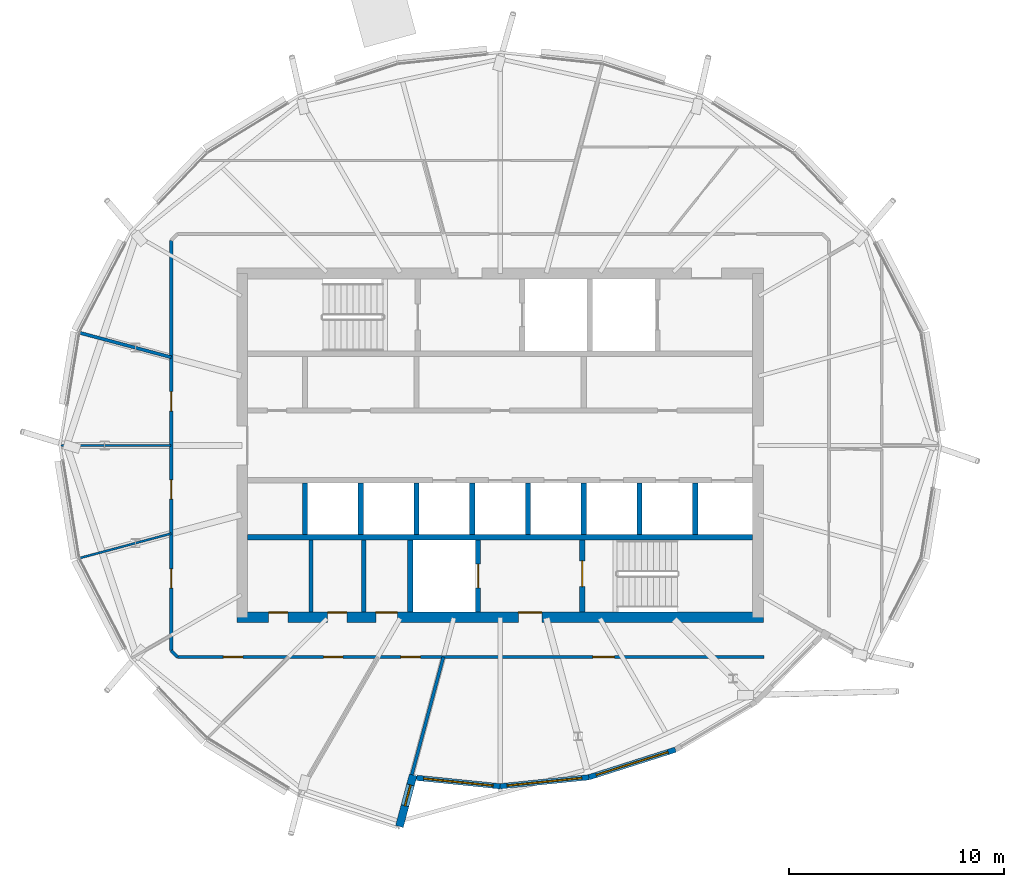
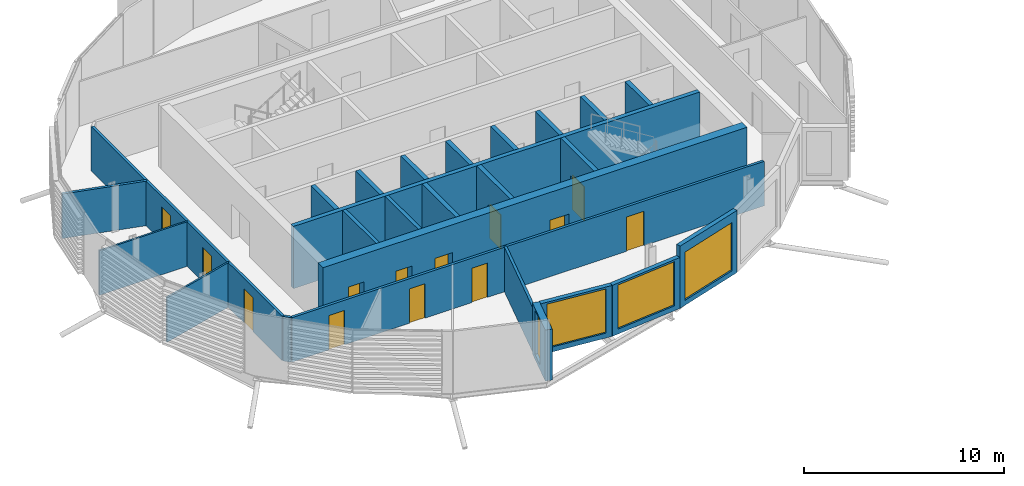
# One storey, part 16 of 33: 26 walls, 13 doors, 4 windows, 17 openings.
"""IFC4 building model written with IfcOpenShell, lengths in metres."""

from ifc_helpers import new_model, si_unit, direction, frame, frame_2d, origin, place, context, subcontext, project, spatial, rectangle, extrude, material, layer, layer_set, type_object, element, fill, save


model = new_model("IFC4")

# Units and contexts
model_context = context("Model", 3, precision=1e-05, world=origin(), true_north=direction((0.0, 1.0)))
body_context = subcontext(model_context, "Body", "Model", "MODEL_VIEW")
ifc_project = project(units=[si_unit("LENGTHUNIT", "METRE"), si_unit("AREAUNIT", "SQUARE_METRE"), si_unit("VOLUMEUNIT", "CUBIC_METRE"), si_unit("PLANEANGLEUNIT", "RADIAN"), si_unit("MASSUNIT", "GRAM", prefix="KILO")], contexts=[model_context])

# Site, building, storey
site_placement = place(None, origin())
site = spatial("IfcSite", under=ifc_project, at=site_placement, CompositionType="ELEMENT")
building_placement = place(site_placement, origin())
building = spatial("IfcBuilding", under=site, at=building_placement, Name="Rimbun Link Towers", CompositionType="ELEMENT")
storey_placement = place(building_placement, frame((0.0, 0.0, 237.10009765625)))
storey = spatial("IfcBuildingStorey", under=building, at=storey_placement, Name="L58", CompositionType="ELEMENT", Elevation=237.10009765625)

# Wall, opening, window
ifc_material_1 = material(Name="Dark enamelled glass spandrel on insulated aluminium backpan", Category="aluminium")
ifc_layer_1 = layer(ifc_material_1, 0.25)
ifc_layer_set_1 = layer_set([ifc_layer_1], Name="CS dark enamelled spandrel wall 250")
wall_type_1 = type_object("IfcWallType", Name="CS dark enamelled spandrel wall 250", PredefinedType="STANDARD", material=ifc_layer_set_1)
wall_1_placement = place(storey_placement, frame((-31.75, -15.862548828125, 0.0), z_axis=(0.0, 0.0, 1.0), x_axis=(-0.994917663839, 0.100691817844, 0.0)))
wall_1 = element("IfcWall", 1, at=wall_1_placement, inside=storey, type_object=wall_type_1, Name="Crease spandrel wall", PredefinedType="STANDARD", context=body_context, shape_type="SweptSolid", body=[
    extrude(rectangle(XDim=3.906005859375, YDim=0.25, at=frame_2d((1.953125, 0.0))), origin(), (0.0, 0.0, 1.0), 3.116943359375),
])
opening_1_placement = place(wall_1_placement, frame((0.328125, 0.0, 0.300048828125)))
opening_1 = element("IfcOpeningElement", 2, at=opening_1_placement, cuts=wall_1, Name="Opening WR32H270", PredefinedType="OPENING", context=body_context, shape_type="SweptSolid", body=[
    extrude(rectangle(XDim=3.25, YDim=2.699951171875, at=frame_2d((1.625, 1.35009765625))), frame((0.0, 0.135009765625, 0.0), z_axis=(0.0, -1.0, 0.0), x_axis=(1.0, 0.0, 0.0)), (0.0, 0.0, 1.0), 0.27001953125),
])
ifc_material_2 = material(Name="Aluminium framed fixed window, dark tinted low-e glass", Category="aluminium")
window_type_1 = type_object("IfcWindowType", Name="WR ribbon window 3250X2700", PartitioningType="SINGLE_PANEL", PredefinedType="WINDOW", material=ifc_material_2)
window_1_placement = place(opening_1_placement, origin())
window_1 = element("IfcWindow", 3, at=window_1_placement, inside=storey, type_object=window_type_1, Name="Crease ribbon window", OverallHeight=2.699951171875, OverallWidth=3.25, PartitioningType="SINGLE_PANEL", PredefinedType="WINDOW", context=body_context, shape_type="SweptSolid", body=[
    extrude(rectangle(XDim=3.25, YDim=2.699951171875, at=frame_2d((1.625, 1.35009765625))), frame((0.0, 0.030029296875, 0.0), z_axis=(0.0, -1.0, 0.0), x_axis=(1.0, 0.0, 0.0)), (0.0, 0.0, 1.0), 0.06005859375),
])
fill(opening_1, window_1)

wall_2_placement = place(storey_placement, frame((-27.619140625, -15.444580078125, 0.0), z_axis=(0.0, 0.0, 1.0), x_axis=(-0.994920070472, -0.100668035499, 0.0)))
wall_2 = element("IfcWall", 4, at=wall_2_placement, inside=storey, type_object=wall_type_1, Name="Crease spandrel wall", PredefinedType="STANDARD", context=body_context, shape_type="SweptSolid", body=[
    extrude(rectangle(XDim=4.15185546875, YDim=0.25, at=frame_2d((2.075927734375, 0.0))), origin(), (0.0, 0.0, 1.0), 3.116943359375),
])
opening_2_placement = place(wall_2_placement, frame((0.325927734375, 0.0, 0.300048828125)))
opening_2 = element("IfcOpeningElement", 5, at=opening_2_placement, cuts=wall_2, Name="Opening WR35H270", PredefinedType="OPENING", context=body_context, shape_type="SweptSolid", body=[
    extrude(rectangle(XDim=3.5, YDim=2.699951171875, at=frame_2d((1.75, 1.35009765625))), frame((0.0, 0.135009765625, 0.0), z_axis=(0.0, -1.0, 0.0), x_axis=(1.0, 0.0, 0.0)), (0.0, 0.0, 1.0), 0.27001953125),
])
ifc_material_3 = material(Name="Aluminium framed fixed window, dark tinted low-e glass", Category="aluminium")
window_type_2 = type_object("IfcWindowType", Name="WR ribbon window 3500X2700", PartitioningType="SINGLE_PANEL", PredefinedType="WINDOW", material=ifc_material_3)
window_2_placement = place(opening_2_placement, origin())
window_2 = element("IfcWindow", 6, at=window_2_placement, inside=storey, type_object=window_type_2, Name="Crease ribbon window", OverallHeight=2.699951171875, OverallWidth=3.5, PartitioningType="SINGLE_PANEL", PredefinedType="WINDOW", context=body_context, shape_type="SweptSolid", body=[
    extrude(rectangle(XDim=3.5, YDim=2.699951171875, at=frame_2d((1.75, 1.35009765625))), frame((0.0, 0.030029296875, 0.0), z_axis=(0.0, -1.0, 0.0), x_axis=(1.0, 0.0, 0.0)), (0.0, 0.0, 1.0), 0.06005859375),
])
fill(opening_2, window_2)

wall_3_placement = place(storey_placement, frame((-23.58984375, -14.159423828125, 0.0), z_axis=(0.0, 0.0, 1.0), x_axis=(-0.952713269999, -0.303870737596, 0.0)))
wall_3 = element("IfcWall", 7, at=wall_3_placement, inside=storey, type_object=wall_type_1, Name="Crease spandrel wall", PredefinedType="STANDARD", context=body_context, shape_type="SweptSolid", body=[
    extrude(rectangle(XDim=4.229248046875, YDim=0.25, at=frame_2d((2.11474609375, 0.0))), origin(), (0.0, 0.0, 1.0), 3.7998046875),
])
opening_3_placement = place(wall_3_placement, frame((0.364501953125, 0.0, 0.300048828125)))
opening_3 = element("IfcOpeningElement", 8, at=opening_3_placement, cuts=wall_3, Name="Opening WR35H295", PredefinedType="OPENING", context=body_context, shape_type="SweptSolid", body=[
    extrude(rectangle(XDim=3.5, YDim=2.949951171875, at=frame_2d((1.75, 1.47509765625))), frame((0.0, 0.135009765625, 0.0), z_axis=(0.0, -1.0, 0.0), x_axis=(1.0, 0.0, 0.0)), (0.0, 0.0, 1.0), 0.27001953125),
])
ifc_material_4 = material(Name="Aluminium framed fixed window, dark tinted low-e glass", Category="aluminium")
window_type_3 = type_object("IfcWindowType", Name="WR ribbon window 3500X2950", PartitioningType="SINGLE_PANEL", PredefinedType="WINDOW", material=ifc_material_4)
window_3_placement = place(opening_3_placement, origin())
window_3 = element("IfcWindow", 9, at=window_3_placement, inside=storey, type_object=window_type_3, Name="Crease ribbon window", OverallHeight=2.949951171875, OverallWidth=3.5, PartitioningType="SINGLE_PANEL", PredefinedType="WINDOW", context=body_context, shape_type="SweptSolid", body=[
    extrude(rectangle(XDim=3.5, YDim=2.949951171875, at=frame_2d((1.75, 1.47509765625))), frame((0.0, 0.030029296875, 0.0), z_axis=(0.0, -1.0, 0.0), x_axis=(1.0, 0.0, 0.0)), (0.0, 0.0, 1.0), 0.06005859375),
])
fill(opening_3, window_3)

ifc_material_5 = material(Name="Dark enamelled glass spandrel on insulated aluminium backpan", Category="aluminium")
ifc_layer_2 = layer(ifc_material_5, 0.3701171875)
ifc_layer_set_2 = layer_set([ifc_layer_2], Name="CS dark enamelled spandrel wall 370")
wall_type_2 = type_object("IfcWallType", Name="CS dark enamelled spandrel wall 370", PredefinedType="STANDARD", material=ifc_layer_set_2)
wall_4_placement = place(storey_placement, frame((-35.792724609375, -15.33837890625, 0.0), z_axis=(0.0, 0.0, 1.0), x_axis=(-0.258716401805, -0.965953323633, 0.0)))
wall_4 = element("IfcWall", 10, at=wall_4_placement, inside=storey, type_object=wall_type_2, Name="Crease spandrel wall", PredefinedType="STANDARD", context=body_context, shape_type="SweptSolid", body=[
    extrude(rectangle(XDim=2.47998046875, YDim=0.3701171875, at=frame_2d((1.239990234375, 0.0))), origin(), (0.0, 0.0, 1.0), 3.116943359375),
])
opening_4_placement = place(wall_4_placement, frame((0.477783203125, 0.0, 0.300048828125)))
opening_4 = element("IfcOpeningElement", 11, at=opening_4_placement, cuts=wall_4, Name="Opening WR10H270", PredefinedType="OPENING", context=body_context, shape_type="SweptSolid", body=[
    extrude(rectangle(XDim=1.0, YDim=2.699951171875, at=frame_2d((0.5, 1.35009765625))), frame((0.0, 0.195068359375, 0.0), z_axis=(0.0, -1.0, 0.0), x_axis=(1.0, 0.0, 0.0)), (0.0, 0.0, 1.0), 0.39013671875),
])
ifc_material_6 = material(Name="Aluminium framed fixed window, dark tinted low-e glass", Category="aluminium")
window_type_4 = type_object("IfcWindowType", Name="WR ribbon window 1000X2700", PartitioningType="SINGLE_PANEL", PredefinedType="WINDOW", material=ifc_material_6)
window_4_placement = place(opening_4_placement, origin())
window_4 = element("IfcWindow", 12, at=window_4_placement, inside=storey, type_object=window_type_4, Name="Crease ribbon window", OverallHeight=2.699951171875, OverallWidth=1.0, PartitioningType="SINGLE_PANEL", PredefinedType="WINDOW", context=body_context, shape_type="SweptSolid", body=[
    extrude(rectangle(XDim=1.0, YDim=2.699951171875, at=frame_2d((0.5, 1.35009765625))), frame((0.0, 0.030029296875, 0.0), z_axis=(0.0, -1.0, 0.0), x_axis=(1.0, 0.0, 0.0)), (0.0, 0.0, 1.0), 0.06005859375),
])
fill(opening_4, window_4)

# Walls
ifc_material_7 = material(Name="Masonry blockwork", Category="masonry")
ifc_layer_3 = layer(ifc_material_7, 0.199951171875)
ifc_layer_set_3 = layer_set([ifc_layer_3], Name="Core partition 200")
wall_type_3 = type_object("IfcWallType", Name="Core partition 200", PredefinedType="PARTITIONING", material=ifc_layer_set_3)
for number, where, z_axis, x_axis, name in (
    (13, (-40.550048828125, -4.39990234375, 0.0), (0.0, 0.0, 1.0), (0.0, -1.0, 0.0), "L58 T1 core wall C1"),
    (14, (-38.10009765625, -4.39990234375, 0.0), (0.0, 0.0, 1.0), (0.0, -1.0, 0.0), "L58 T1 core wall C2"),
):
    element("IfcWall", number, at=place(storey_placement, frame(where, z_axis=z_axis, x_axis=x_axis)), inside=storey, type_object=wall_type_3, Name=name, PredefinedType="PARTITIONING", context=body_context, shape_type="SweptSolid", body=[
        extrude(rectangle(XDim=3.35009765625, YDim=0.199951171875, at=frame_2d((1.675048828125, 0.0))), origin(), (0.0, 0.0, 1.0), 3.7998046875),
    ])

# Wall, openings, doors
ifc_material_8 = material(Name="Concrete C60/75", Category="concrete")
ifc_layer_4 = layer(ifc_material_8, 0.5)
ifc_layer_set_4 = layer_set([ifc_layer_4], Name="Core shear wall 500")
wall_type_4 = type_object("IfcWallType", Name="Core shear wall 500", PredefinedType="SHEAR", material=ifc_layer_set_4)
wall_5_placement = place(storey_placement, frame((-44.0, -8.0, 0.0), z_axis=(0.0, 0.0, 1.0), x_axis=(1.0, 0.0, 0.0)))
wall_5 = element("IfcWall", 15, at=wall_5_placement, inside=storey, type_object=wall_type_4, Name="L58 T1 core wall S", PredefinedType="SHEAR", context=body_context, shape_type="SweptSolid", body=[
    extrude(rectangle(XDim=24.5, YDim=0.5, at=frame_2d((12.25, 0.0))), origin(), (0.0, 0.0, 1.0), 3.7998046875),
])
opening_5_placement = place(wall_5_placement, frame((13.10009765625, 0.0, 0.0)))
opening_5 = element("IfcOpeningElement", 16, at=opening_5_placement, cuts=wall_5, Name="Opening C1DCF01S", PredefinedType="OPENING", context=body_context, shape_type="SweptSolid", body=[
    extrude(rectangle(XDim=1.10009765625, YDim=2.10009765625, at=frame_2d((0.550048828125, 1.050048828125))), frame((0.0, 0.260009765625, 0.0), z_axis=(0.0, -1.0, 0.0), x_axis=(1.0, 0.0, 0.0)), (0.0, 0.0, 1.0), 0.52001953125),
])
opening_6_placement = place(wall_5_placement, frame((1.47509765625, 0.0, 0.0)))
opening_6 = element("IfcOpeningElement", 17, at=opening_6_placement, cuts=wall_5, Name="Opening C1DWC02S", PredefinedType="OPENING", context=body_context, shape_type="SweptSolid", body=[
    extrude(rectangle(XDim=0.89990234375, YDim=2.10009765625, at=frame_2d((0.449951171875, 1.050048828125))), frame((0.0, 0.260009765625, 0.0), z_axis=(0.0, -1.0, 0.0), x_axis=(1.0, 0.0, 0.0)), (0.0, 0.0, 1.0), 0.52001953125),
])
opening_7_placement = place(wall_5_placement, frame((4.22509765625, 0.0, 0.0)))
opening_7 = element("IfcOpeningElement", 18, at=opening_7_placement, cuts=wall_5, Name="Opening C1DWC03S", PredefinedType="OPENING", context=body_context, shape_type="SweptSolid", body=[
    extrude(rectangle(XDim=0.89990234375, YDim=2.10009765625, at=frame_2d((0.449951171875, 1.050048828125))), frame((0.0, 0.260009765625, 0.0), z_axis=(0.0, -1.0, 0.0), x_axis=(1.0, 0.0, 0.0)), (0.0, 0.0, 1.0), 0.52001953125),
])
opening_8_placement = place(wall_5_placement, frame((6.47509765625, 0.0, 0.0)))
opening_8 = element("IfcOpeningElement", 19, at=opening_8_placement, cuts=wall_5, Name="Opening C1DAW04S", PredefinedType="OPENING", context=body_context, shape_type="SweptSolid", body=[
    extrude(rectangle(XDim=1.0, YDim=2.10009765625, at=frame_2d((0.5, 1.050048828125))), frame((0.0, 0.260009765625, 0.0), z_axis=(0.0, -1.0, 0.0), x_axis=(1.0, 0.0, 0.0)), (0.0, 0.0, 1.0), 0.52001953125),
])
ifc_material_9 = material(Name="Timber", Category="wood")
door_type_1 = type_object("IfcDoorType", Name="Accessible WC door", OperationType="SINGLE_SWING_LEFT", PredefinedType="DOOR", material=ifc_material_9)
door_1_placement = place(opening_8_placement, origin())
door_1 = element("IfcDoor", 20, at=door_1_placement, inside=storey, type_object=door_type_1, Name="L58 T1 accessible wc door", OperationType="SINGLE_SWING_RIGHT", OverallHeight=2.10009765625, OverallWidth=1.0, PredefinedType="DOOR", context=body_context, shape_type="SweptSolid", body=[
    extrude(rectangle(XDim=1.0, YDim=2.10009765625, at=frame_2d((0.5, 1.050048828125))), frame((0.0, 0.25, 0.0), z_axis=(0.0, -1.0, 0.0), x_axis=(1.0, 0.0, 0.0)), (0.0, 0.0, 1.0), 0.050048828125),
])
fill(opening_8, door_1)
ifc_material_10 = material(Name="Steel fire door set", Category="steel")
door_type_2 = type_object("IfcDoorType", Name="Core fire door single", OperationType="SINGLE_SWING_LEFT", PredefinedType="DOOR", material=ifc_material_10)
door_2_placement = place(opening_5_placement, origin())
door_2 = element("IfcDoor", 21, at=door_2_placement, inside=storey, type_object=door_type_2, Name="L58 T1 firefighting lobby s door", OperationType="SINGLE_SWING_RIGHT", OverallHeight=2.10009765625, OverallWidth=1.10009765625, PredefinedType="DOOR", context=body_context, shape_type="SweptSolid", body=[
    extrude(rectangle(XDim=1.10009765625, YDim=2.10009765625, at=frame_2d((0.550048828125, 1.050048828125))), frame((0.0, 0.25, 0.0), z_axis=(0.0, -1.0, 0.0), x_axis=(1.0, 0.0, 0.0)), (0.0, 0.0, 1.0), 0.050048828125),
])
fill(opening_5, door_2)
ifc_material_11 = material(Name="Timber", Category="wood")
door_type_3 = type_object("IfcDoorType", Name="WC door", OperationType="SINGLE_SWING_LEFT", PredefinedType="DOOR", material=ifc_material_11)
door_3_placement = place(opening_6_placement, origin())
door_3 = element("IfcDoor", 22, at=door_3_placement, inside=storey, type_object=door_type_3, Name="L58 T1 male wc door", OperationType="SINGLE_SWING_RIGHT", OverallHeight=2.10009765625, OverallWidth=0.89990234375, PredefinedType="DOOR", context=body_context, shape_type="SweptSolid", body=[
    extrude(rectangle(XDim=0.89990234375, YDim=2.10009765625, at=frame_2d((0.449951171875, 1.050048828125))), frame((0.0, 0.25, 0.0), z_axis=(0.0, -1.0, 0.0), x_axis=(1.0, 0.0, 0.0)), (0.0, 0.0, 1.0), 0.050048828125),
])
fill(opening_6, door_3)
door_4_placement = place(opening_7_placement, origin())
door_4 = element("IfcDoor", 23, at=door_4_placement, inside=storey, type_object=door_type_3, Name="L58 T1 female wc door", OperationType="SINGLE_SWING_LEFT", OverallHeight=2.10009765625, OverallWidth=0.89990234375, PredefinedType="DOOR", context=body_context, shape_type="SweptSolid", body=[
    extrude(rectangle(XDim=0.89990234375, YDim=2.10009765625, at=frame_2d((0.449951171875, 1.050048828125))), frame((0.0, 0.25, 0.0), z_axis=(0.0, -1.0, 0.0), x_axis=(1.0, 0.0, 0.0)), (0.0, 0.0, 1.0), 0.050048828125),
])
fill(opening_7, door_4)

ifc_material_12 = material(Name="Plasterboard on steel stud, mineral wool", Category="steel")
ifc_layer_5 = layer(ifc_material_12, 0.14990234375)
ifc_layer_set_5 = layer_set([ifc_layer_5], Name="Corridor wall EI 30 150 mm")
wall_type_5 = type_object("IfcWallType", Name="Corridor wall EI 30 150 mm", PredefinedType="PARTITIONING", material=ifc_layer_set_5)
wall_6_placement = place(storey_placement, frame((-19.467041015625, -9.844970703125, 0.0), z_axis=(0.0, 0.0, 1.0), x_axis=(-1.0, 0.0, 0.0)))
wall_6 = element("IfcWall", 24, at=wall_6_placement, inside=storey, type_object=wall_type_5, Name="Corridor wall EI 30 150 mm", PredefinedType="PARTITIONING", context=body_context, shape_type="SweptSolid", body=[
    extrude(rectangle(XDim=27.28662109375, YDim=0.14990234375, at=frame_2d((13.643310546875, 0.0))), origin(), (0.0, 0.0, 1.0), 2.721923828125),
])
opening_9_placement = place(wall_6_placement, frame((24.25732421875, 0.0, 0.0)))
opening_9 = element("IfcOpeningElement", 25, at=opening_9_placement, cuts=wall_6, Name="Opening D02", PredefinedType="OPENING", context=body_context, shape_type="SweptSolid", body=[
    extrude(rectangle(XDim=0.89990234375, YDim=2.10009765625, at=frame_2d((0.449951171875, 1.050048828125))), frame((0.0, 0.0849609375, 0.0), z_axis=(0.0, -1.0, 0.0), x_axis=(1.0, 0.0, 0.0)), (0.0, 0.0, 1.0), 0.169921875),
])
opening_10_placement = place(wall_6_placement, frame((19.597412109375, 0.0, 0.0)))
opening_10 = element("IfcOpeningElement", 26, at=opening_10_placement, cuts=wall_6, Name="Opening D02", PredefinedType="OPENING", context=body_context, shape_type="SweptSolid", body=[
    extrude(rectangle(XDim=0.89990234375, YDim=2.10009765625, at=frame_2d((0.449951171875, 1.050048828125))), frame((0.0, 0.0849609375, 0.0), z_axis=(0.0, -1.0, 0.0), x_axis=(1.0, 0.0, 0.0)), (0.0, 0.0, 1.0), 0.169921875),
])
opening_11_placement = place(wall_6_placement, frame((15.993896484375, 0.0, 0.0)))
opening_11 = element("IfcOpeningElement", 27, at=opening_11_placement, cuts=wall_6, Name="Opening D02", PredefinedType="OPENING", context=body_context, shape_type="SweptSolid", body=[
    extrude(rectangle(XDim=0.89990234375, YDim=2.10009765625, at=frame_2d((0.449951171875, 1.050048828125))), frame((0.0, 0.0849609375, 0.0), z_axis=(0.0, -1.0, 0.0), x_axis=(1.0, 0.0, 0.0)), (0.0, 0.0, 1.0), 0.169921875),
])
opening_12_placement = place(wall_6_placement, frame((6.96044921875, 0.0, 0.0)))
opening_12 = element("IfcOpeningElement", 28, at=opening_12_placement, cuts=wall_6, Name="Opening D01", PredefinedType="OPENING", context=body_context, shape_type="SweptSolid", body=[
    extrude(rectangle(XDim=1.0, YDim=2.10009765625, at=frame_2d((0.5, 1.050048828125))), frame((0.0, 0.0849609375, 0.0), z_axis=(0.0, -1.0, 0.0), x_axis=(1.0, 0.0, 0.0)), (0.0, 0.0, 1.0), 0.169921875),
])
ifc_material_13 = material(Name="Fire-resisting timber door leaf", Category="wood")
door_type_4 = type_object("IfcDoorType", Name="Fire door FD30S 1000", OperationType="NOTDEFINED", PredefinedType="DOOR", material=ifc_material_13)
door_5_placement = place(opening_12_placement, origin())
door_5 = element("IfcDoor", 29, at=door_5_placement, inside=storey, type_object=door_type_4, Name="Fire door FD30S 1000 to Terrace office", OperationType="SINGLE_SWING_RIGHT", OverallHeight=2.10009765625, OverallWidth=1.0, PredefinedType="DOOR", context=body_context, shape_type="SweptSolid", body=[
    extrude(rectangle(XDim=1.0, YDim=2.10009765625, at=frame_2d((0.5, 1.050048828125))), frame((0.0, 0.02490234375, 0.0), z_axis=(0.0, -1.0, 0.0), x_axis=(1.0, 0.0, 0.0)), (0.0, 0.0, 1.0), 0.050048828125),
])
fill(opening_12, door_5)
ifc_material_14 = material(Name="Fire-resisting timber door leaf", Category="wood")
door_type_5 = type_object("IfcDoorType", Name="Fire door FD30S 900", OperationType="NOTDEFINED", PredefinedType="DOOR", material=ifc_material_14)
door_6_placement = place(opening_9_placement, origin())
door_6 = element("IfcDoor", 30, at=door_6_placement, inside=storey, type_object=door_type_5, Name="Fire door FD30S 900 to Boardroom", OperationType="SINGLE_SWING_LEFT", OverallHeight=2.10009765625, OverallWidth=0.89990234375, PredefinedType="DOOR", context=body_context, shape_type="SweptSolid", body=[
    extrude(rectangle(XDim=0.89990234375, YDim=2.10009765625, at=frame_2d((0.449951171875, 1.050048828125))), frame((0.0, 0.02490234375, 0.0), z_axis=(0.0, -1.0, 0.0), x_axis=(1.0, 0.0, 0.0)), (0.0, 0.0, 1.0), 0.050048828125),
])
fill(opening_9, door_6)
door_7_placement = place(opening_10_placement, origin())
door_7 = element("IfcDoor", 31, at=door_7_placement, inside=storey, type_object=door_type_5, Name="Fire door FD30S 900 to Meeting room", OperationType="SINGLE_SWING_RIGHT", OverallHeight=2.10009765625, OverallWidth=0.89990234375, PredefinedType="DOOR", context=body_context, shape_type="SweptSolid", body=[
    extrude(rectangle(XDim=0.89990234375, YDim=2.10009765625, at=frame_2d((0.449951171875, 1.050048828125))), frame((0.0, 0.02490234375, 0.0), z_axis=(0.0, -1.0, 0.0), x_axis=(1.0, 0.0, 0.0)), (0.0, 0.0, 1.0), 0.050048828125),
])
fill(opening_10, door_7)
door_8_placement = place(opening_11_placement, origin())
door_8 = element("IfcDoor", 32, at=door_8_placement, inside=storey, type_object=door_type_5, Name="Fire door FD30S 900 to Executive office", OperationType="SINGLE_SWING_LEFT", OverallHeight=2.10009765625, OverallWidth=0.89990234375, PredefinedType="DOOR", context=body_context, shape_type="SweptSolid", body=[
    extrude(rectangle(XDim=0.89990234375, YDim=2.10009765625, at=frame_2d((0.449951171875, 1.050048828125))), frame((0.0, 0.02490234375, 0.0), z_axis=(0.0, -1.0, 0.0), x_axis=(1.0, 0.0, 0.0)), (0.0, 0.0, 1.0), 0.050048828125),
])
fill(opening_11, door_8)

# Wall
wall_7_placement = place(storey_placement, frame((-47.054931640625, -9.543701171875, 0.0), z_axis=(0.0, 0.0, 1.0), x_axis=(0.707106781187, -0.707106781187, 0.0)))
element("IfcWall", 33, at=wall_7_placement, inside=storey, type_object=wall_type_5, Name="Corridor wall EI 30 150 mm", PredefinedType="PARTITIONING", context=body_context, shape_type="SweptSolid", body=[
    extrude(rectangle(XDim=0.426025390625, YDim=0.14990234375, at=frame_2d((0.212890625, 0.0))), origin(), (0.0, 0.0, 1.0), 2.721923828125),
])

# Wall, openings, doors
wall_8_placement = place(storey_placement, frame((-47.054931640625, -9.543701171875, 0.0), z_axis=(0.0, 0.0, 1.0), x_axis=(0.0, 1.0, 0.0)))
wall_8 = element("IfcWall", 34, at=wall_8_placement, inside=storey, type_object=wall_type_5, Name="Corridor wall EI 30 150 mm", PredefinedType="PARTITIONING", context=body_context, shape_type="SweptSolid", body=[
    extrude(rectangle(XDim=19.08740234375, YDim=0.14990234375, at=frame_2d((9.543701171875, 0.0))), origin(), (0.0, 0.0, 1.0), 2.721923828125),
])
opening_13_placement = place(wall_8_placement, frame((11.144287109375, 0.0, 0.0)))
opening_13 = element("IfcOpeningElement", 35, at=opening_13_placement, cuts=wall_8, Name="Opening D02", PredefinedType="OPENING", context=body_context, shape_type="SweptSolid", body=[
    extrude(rectangle(XDim=0.89990234375, YDim=2.10009765625, at=frame_2d((0.449951171875, 1.050048828125))), frame((0.0, 0.0849609375, 0.0), z_axis=(0.0, -1.0, 0.0), x_axis=(1.0, 0.0, 0.0)), (0.0, 0.0, 1.0), 0.169921875),
])
opening_14_placement = place(wall_8_placement, frame((7.043212890625, 0.0, 0.0)))
opening_14 = element("IfcOpeningElement", 36, at=opening_14_placement, cuts=wall_8, Name="Opening D02", PredefinedType="OPENING", context=body_context, shape_type="SweptSolid", body=[
    extrude(rectangle(XDim=0.89990234375, YDim=2.10009765625, at=frame_2d((0.449951171875, 1.050048828125))), frame((0.0, 0.0849609375, 0.0), z_axis=(0.0, -1.0, 0.0), x_axis=(1.0, 0.0, 0.0)), (0.0, 0.0, 1.0), 0.169921875),
])
opening_15_placement = place(wall_8_placement, frame((2.9033203125, 0.0, 0.0)))
opening_15 = element("IfcOpeningElement", 37, at=opening_15_placement, cuts=wall_8, Name="Opening D02", PredefinedType="OPENING", context=body_context, shape_type="SweptSolid", body=[
    extrude(rectangle(XDim=0.89990234375, YDim=2.10009765625, at=frame_2d((0.449951171875, 1.050048828125))), frame((0.0, 0.0849609375, 0.0), z_axis=(0.0, -1.0, 0.0), x_axis=(1.0, 0.0, 0.0)), (0.0, 0.0, 1.0), 0.169921875),
])
door_9_placement = place(opening_13_placement, origin())
door_9 = element("IfcDoor", 38, at=door_9_placement, inside=storey, type_object=door_type_5, Name="Fire door FD30S 900 to Meeting room", OperationType="SINGLE_SWING_RIGHT", OverallHeight=2.10009765625, OverallWidth=0.89990234375, PredefinedType="DOOR", context=body_context, shape_type="SweptSolid", body=[
    extrude(rectangle(XDim=0.89990234375, YDim=2.10009765625, at=frame_2d((0.449951171875, 1.050048828125))), frame((0.0, 0.02490234375, 0.0), z_axis=(0.0, -1.0, 0.0), x_axis=(1.0, 0.0, 0.0)), (0.0, 0.0, 1.0), 0.050048828125),
])
fill(opening_13, door_9)
door_10_placement = place(opening_14_placement, origin())
door_10 = element("IfcDoor", 39, at=door_10_placement, inside=storey, type_object=door_type_5, Name="Fire door FD30S 900 to Executive office", OperationType="SINGLE_SWING_LEFT", OverallHeight=2.10009765625, OverallWidth=0.89990234375, PredefinedType="DOOR", context=body_context, shape_type="SweptSolid", body=[
    extrude(rectangle(XDim=0.89990234375, YDim=2.10009765625, at=frame_2d((0.449951171875, 1.050048828125))), frame((0.0, 0.02490234375, 0.0), z_axis=(0.0, -1.0, 0.0), x_axis=(1.0, 0.0, 0.0)), (0.0, 0.0, 1.0), 0.050048828125),
])
fill(opening_14, door_10)
door_11_placement = place(opening_15_placement, origin())
door_11 = element("IfcDoor", 40, at=door_11_placement, inside=storey, type_object=door_type_5, Name="Fire door FD30S 900 to Open office", OperationType="SINGLE_SWING_RIGHT", OverallHeight=2.10009765625, OverallWidth=0.89990234375, PredefinedType="DOOR", context=body_context, shape_type="SweptSolid", body=[
    extrude(rectangle(XDim=0.89990234375, YDim=2.10009765625, at=frame_2d((0.449951171875, 1.050048828125))), frame((0.0, 0.02490234375, 0.0), z_axis=(0.0, -1.0, 0.0), x_axis=(1.0, 0.0, 0.0)), (0.0, 0.0, 1.0), 0.050048828125),
])
fill(opening_15, door_11)

# Walls
ifc_material_15 = material(Name="Plasterboard on steel stud", Category="steel")
ifc_layer_6 = layer(ifc_material_15, 0.10009765625)
ifc_layer_set_6 = layer_set([ifc_layer_6], Name="Plasterboard partition 100 mm")
wall_type_6 = type_object("IfcWallType", Name="Plasterboard partition 100 mm", PredefinedType="PARTITIONING", material=ifc_layer_set_6)
wall_9_placement = place(storey_placement, frame((-52.17529296875, 0.0, 0.0), z_axis=(0.0, 0.0, 1.0), x_axis=(1.0, 0.0, 0.0)))
element("IfcWall", 41, at=wall_9_placement, inside=storey, type_object=wall_type_6, Name="Plasterboard partition 100 mm", PredefinedType="PARTITIONING", context=body_context, shape_type="SweptSolid", body=[
    extrude(rectangle(XDim=5.120361328125, YDim=0.10009765625, at=frame_2d((2.56005859375, 0.0))), origin(), (0.0, 0.0, 1.0), 2.721923828125),
])
wall_10_placement = place(storey_placement, frame((-51.313232421875, -5.241943359375, 0.0), z_axis=(0.0, 0.0, 1.0), x_axis=(0.965933714886, 0.258789602664, 0.0)))
element("IfcWall", 42, at=wall_10_placement, inside=storey, type_object=wall_type_6, Name="Plasterboard partition 100 mm", PredefinedType="PARTITIONING", context=body_context, shape_type="SweptSolid", body=[
    extrude(rectangle(XDim=4.408447265625, YDim=0.10009765625, at=frame_2d((2.2041015625, 0.0))), origin(), (0.0, 0.0, 1.0), 2.721923828125),
])
ifc_material_16 = material(Name="Concrete C60/75", Category="concrete")
ifc_layer_7 = layer(ifc_material_16, 0.25)
ifc_layer_set_7 = layer_set([ifc_layer_7], Name="Shaft wall 250")
wall_type_7 = type_object("IfcWallType", Name="Shaft wall 250", PredefinedType="SHEAR", material=ifc_layer_set_7)
wall_11_placement = place(storey_placement, frame((-43.5, -4.27490234375, 0.0), z_axis=(0.0, 0.0, 1.0), x_axis=(1.0, 0.0, 0.0)))
element("IfcWall", 43, at=wall_11_placement, inside=storey, type_object=wall_type_7, Name="L58 T1 core wall BS", PredefinedType="SHEAR", context=body_context, shape_type="SweptSolid", body=[
    extrude(rectangle(XDim=23.5, YDim=0.25, at=frame_2d((11.75, 0.0))), origin(), (0.0, 0.0, 1.0), 3.7998046875),
])
for number, where, z_axis, x_axis, name in (
    (44, (-40.83056640625, -4.14990234375, 0.0), (0.0, 0.0, 1.0), (0.0, 1.0, 0.0), "L58 T1 core wall DS0"),
    (45, (-38.236083984375, -4.14990234375, 0.0), (0.0, 0.0, 1.0), (0.0, 1.0, 0.0), "L58 T1 core wall DS1"),
    (46, (-35.6416015625, -4.14990234375, 0.0), (0.0, 0.0, 1.0), (0.0, 1.0, 0.0), "L58 T1 core wall DS2"),
    (47, (-33.047119140625, -4.14990234375, 0.0), (0.0, 0.0, 1.0), (0.0, 1.0, 0.0), "L58 T1 core wall DS3"),
    (48, (-30.452880859375, -4.14990234375, 0.0), (0.0, 0.0, 1.0), (0.0, 1.0, 0.0), "L58 T1 core wall DS4"),
    (49, (-27.8583984375, -4.14990234375, 0.0), (0.0, 0.0, 1.0), (0.0, 1.0, 0.0), "L58 T1 core wall DS5"),
    (50, (-25.263916015625, -4.14990234375, 0.0), (0.0, 0.0, 1.0), (0.0, 1.0, 0.0), "L58 T1 core wall DS6"),
    (51, (-22.66943359375, -4.14990234375, 0.0), (0.0, 0.0, 1.0), (0.0, 1.0, 0.0), "L58 T1 core wall DS7"),
):
    element("IfcWall", number, at=place(storey_placement, frame(where, z_axis=z_axis, x_axis=x_axis)), inside=storey, type_object=wall_type_7, Name=name, PredefinedType="SHEAR", context=body_context, shape_type="SweptSolid", body=[
        extrude(rectangle(XDim=2.39990234375, YDim=0.25, at=frame_2d((1.199951171875, 0.0))), origin(), (0.0, 0.0, 1.0), 3.7998046875),
    ])

# Wall, opening, door
wall_12_placement = place(storey_placement, frame((-27.925048828125, -4.39990234375, 0.0), z_axis=(0.0, 0.0, 1.0), x_axis=(0.0, -1.0, 0.0)))
wall_12 = element("IfcWall", 52, at=wall_12_placement, inside=storey, type_object=wall_type_7, Name="L58 T1 core wall B1", PredefinedType="SHEAR", context=body_context, shape_type="SweptSolid", body=[
    extrude(rectangle(XDim=3.35009765625, YDim=0.25, at=frame_2d((1.675048828125, 0.0))), origin(), (0.0, 0.0, 1.0), 3.7998046875),
])
opening_16_placement = place(wall_12_placement, frame((0.97509765625, 0.0, 0.0)))
opening_16 = element("IfcOpeningElement", 53, at=opening_16_placement, cuts=wall_12, Name="Opening C1DST01B1", PredefinedType="OPENING", context=body_context, shape_type="SweptSolid", body=[
    extrude(rectangle(XDim=1.199951171875, YDim=2.10009765625, at=frame_2d((0.60009765625, 1.050048828125))), frame((0.0, 0.135009765625, 0.0), z_axis=(0.0, -1.0, 0.0), x_axis=(1.0, 0.0, 0.0)), (0.0, 0.0, 1.0), 0.27001953125),
])
ifc_material_17 = material(Name="Steel fire door set", Category="steel")
door_type_6 = type_object("IfcDoorType", Name="Stair door", OperationType="SINGLE_SWING_LEFT", PredefinedType="DOOR", material=ifc_material_17)
door_12_placement = place(opening_16_placement, origin())
door_12 = element("IfcDoor", 54, at=door_12_placement, inside=storey, type_object=door_type_6, Name="L58 T1 stair b door", OperationType="SINGLE_SWING_RIGHT", OverallHeight=2.10009765625, OverallWidth=1.199951171875, PredefinedType="DOOR", context=body_context, shape_type="SweptSolid", body=[
    extrude(rectangle(XDim=1.199951171875, YDim=2.10009765625, at=frame_2d((0.60009765625, 1.050048828125))), frame((0.0, 0.02490234375, 0.0), z_axis=(0.0, -1.0, 0.0), x_axis=(1.0, 0.0, 0.0)), (0.0, 0.0, 1.0), 0.050048828125),
])
fill(opening_16, door_12)

wall_13_placement = place(storey_placement, frame((-32.77490234375, -4.39990234375, 0.0), z_axis=(0.0, 0.0, 1.0), x_axis=(0.0, -1.0, 0.0)))
wall_13 = element("IfcWall", 55, at=wall_13_placement, inside=storey, type_object=wall_type_7, Name="L58 T1 core wall B2", PredefinedType="SHEAR", context=body_context, shape_type="SweptSolid", body=[
    extrude(rectangle(XDim=3.35009765625, YDim=0.25, at=frame_2d((1.675048828125, 0.0))), origin(), (0.0, 0.0, 1.0), 3.7998046875),
])
opening_17_placement = place(wall_13_placement, frame((1.125, 0.0, 0.0)))
opening_17 = element("IfcOpeningElement", 56, at=opening_17_placement, cuts=wall_13, Name="Opening LD-T1-FF2", PredefinedType="OPENING", context=body_context, shape_type="SweptSolid", body=[
    extrude(rectangle(XDim=1.10009765625, YDim=2.10009765625, at=frame_2d((0.550048828125, 1.050048828125))), frame((0.0, 0.135009765625, 0.0), z_axis=(0.0, -1.0, 0.0), x_axis=(1.0, 0.0, 0.0)), (0.0, 0.0, 1.0), 0.27001953125),
])
ifc_material_18 = material(Name="Stainless steel grade 316", Category="steel")
door_type_7 = type_object("IfcDoorType", Name="Lift landing door", OperationType="DOUBLE_DOOR_SLIDING", PredefinedType="DOOR", material=ifc_material_18)
door_13_placement = place(opening_17_placement, origin())
door_13 = element("IfcDoor", 57, at=door_13_placement, inside=storey, type_object=door_type_7, Name="L58 T1 lift FF2 landing door", OperationType="DOUBLE_DOOR_SLIDING", OverallHeight=2.10009765625, OverallWidth=1.10009765625, PredefinedType="DOOR", context=body_context, shape_type="SweptSolid", body=[
    extrude(rectangle(XDim=1.10009765625, YDim=2.10009765625, at=frame_2d((0.550048828125, 1.050048828125))), frame((0.0, 0.02490234375, 0.0), z_axis=(0.0, -1.0, 0.0), x_axis=(1.0, 0.0, 0.0)), (0.0, 0.0, 1.0), 0.050048828125),
])
fill(opening_17, door_13)

# Walls
wall_14_placement = place(storey_placement, frame((-35.925048828125, -4.39990234375, 0.0), z_axis=(0.0, 0.0, 1.0), x_axis=(0.0, -1.0, 0.0)))
element("IfcWall", 58, at=wall_14_placement, inside=storey, type_object=wall_type_7, Name="L58 T1 core wall B3", PredefinedType="SHEAR", context=body_context, shape_type="SweptSolid", body=[
    extrude(rectangle(XDim=3.35009765625, YDim=0.25, at=frame_2d((1.675048828125, 0.0))), origin(), (0.0, 0.0, 1.0), 3.7998046875),
])
ifc_material_19 = material(Name="Plasterboard on steel stud, mineral wool", Category="steel")
ifc_layer_8 = layer(ifc_material_19, 0.14990234375)
ifc_layer_set_8 = layer_set([ifc_layer_8], Name="Tenancy separation wall EI 60 150 mm")
wall_type_8 = type_object("IfcWallType", Name="Tenancy separation wall EI 60 150 mm", PredefinedType="PARTITIONING", material=ifc_layer_set_8)
wall_15_placement = place(storey_placement, frame((-47.054931640625, 4.10107421875, 0.0), z_axis=(0.0, 0.0, 1.0), x_axis=(-0.965933714886, 0.258789602664, 0.0)))
element("IfcWall", 59, at=wall_15_placement, inside=storey, type_object=wall_type_8, Name="Tenancy separation wall EI 60 150 mm", PredefinedType="PARTITIONING", context=body_context, shape_type="SweptSolid", body=[
    extrude(rectangle(XDim=4.408447265625, YDim=0.14990234375, at=frame_2d((2.2041015625, 0.0))), origin(), (0.0, 0.0, 1.0), 2.721923828125),
])
wall_16_placement = place(storey_placement, frame((-34.387939453125, -9.844970703125, 0.0), z_axis=(0.0, 0.0, 1.0), x_axis=(-0.25883365753, -0.965921910782, 0.0)))
element("IfcWall", 60, at=wall_16_placement, inside=storey, type_object=wall_type_8, Name="Tenancy separation wall EI 60 150 mm", PredefinedType="PARTITIONING", context=body_context, shape_type="SweptSolid", body=[
    extrude(rectangle(XDim=5.669677734375, YDim=0.14990234375, at=frame_2d((2.8349609375, 0.0))), origin(), (0.0, 0.0, 1.0), 2.721923828125),
])

save(model, "model.ifc")
